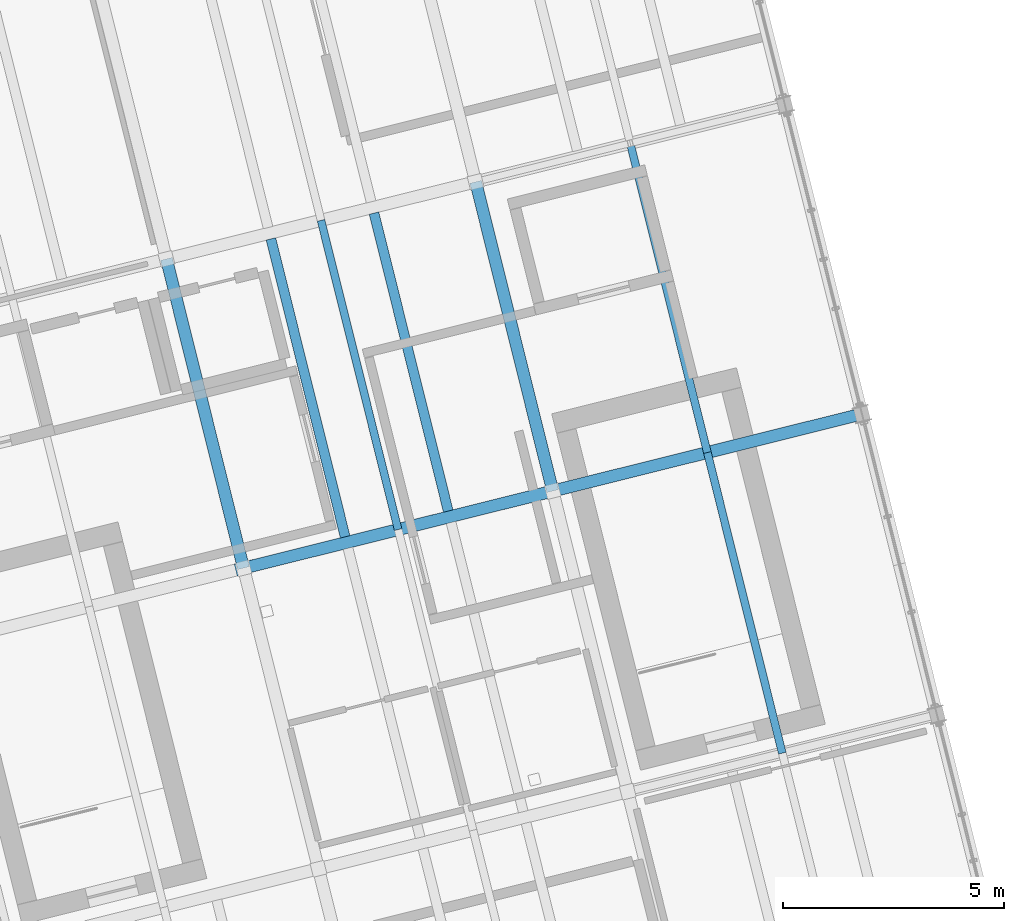
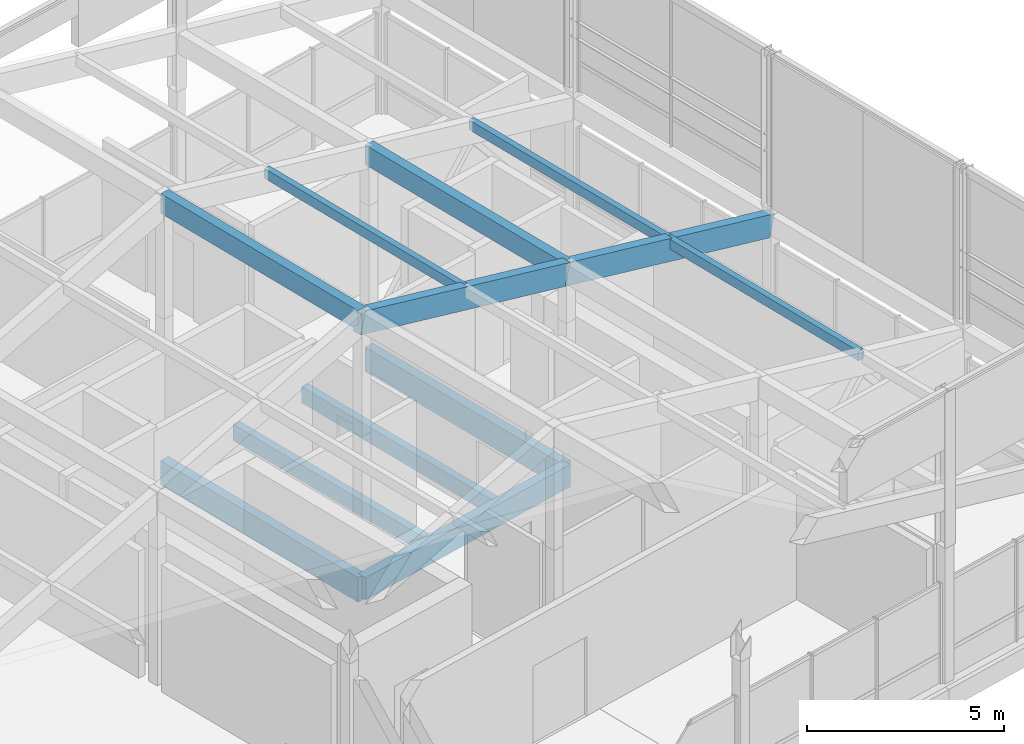
# One storey, part 18 of 31: 9 beams, 3 members.
"""IFC4 building model written with IfcOpenShell, lengths in metres."""

from ifc_helpers import new_model, si_unit, direction, frame, origin, origin_2d, place, context, subcontext, project, spatial, rectangle, extrude, material, material_profile, profile_set, type_object, element, save


model = new_model("IFC4")

# Units and contexts
model_context = context("Model", 3, precision=1e-05, world=origin(), true_north=direction((0.0, 1.0)))
body_context = subcontext(model_context, "Body", "Model", "MODEL_VIEW")
ifc_project = project(units=[si_unit("LENGTHUNIT", "METRE"), si_unit("AREAUNIT", "SQUARE_METRE"), si_unit("VOLUMEUNIT", "CUBIC_METRE"), si_unit("PLANEANGLEUNIT", "RADIAN"), si_unit("MASSUNIT", "GRAM", prefix="KILO")], contexts=[model_context])

# Site, building, storey
site_placement = place(None, origin())
site = spatial("IfcSite", under=ifc_project, at=site_placement, CompositionType="ELEMENT")
building_placement = place(site_placement, origin())
building = spatial("IfcBuilding", under=site, at=building_placement, Name="Meriwether Solvik Hall", CompositionType="ELEMENT")
storey_placement = place(building_placement, frame((0.0, 0.0, 61.199951171875)))
storey = spatial("IfcBuildingStorey", under=building, at=storey_placement, Name="L15", CompositionType="ELEMENT", Elevation=61.199951171875)

# Beams
ifc_material_1 = material(Name="Glulam Douglas-Fir 24F-V8 GL28h", Category="wood")
ifc_material_profile_1 = material_profile(ifc_material_1, rectangle(XDim=0.27294921875, YDim=0.610107421875, at=origin_2d()), Name="GLB-273X610")
ifc_profile_set_1 = profile_set([ifc_material_profile_1], Name="Glulam Douglas-Fir 24F-V8 GL28h")
beam_type_1 = type_object("IfcBeamType", Name="BM-GL-273X610", PredefinedType="SPANDREL", material=ifc_profile_set_1)
beam_1_placement = place(storey_placement, frame((79.621826171875, 58.17041015625, 7.698974609375), z_axis=(-0.241897310542, 0.970301855688, 0.0), x_axis=(-0.970301855688, -0.241897310542, 0.0)))
element("IfcBeam", 1, at=beam_1_placement, inside=storey, type_object=beam_type_1, Name="Roof Tie Beam T3:TC-TD", PredefinedType="SPANDREL", context=body_context, shape_type="SweptSolid", body=[
    extrude(rectangle(XDim=0.27294921875, YDim=0.610107421875, at=origin_2d()), origin(), (0.0, 0.0, 1.0), 7.2001953125),
])
beam_2_placement = place(storey_placement, frame((86.60791015625, 59.912353515625, 5.698974609375), z_axis=(-0.241905269381, 0.970299871507, 0.0), x_axis=(-0.970299871507, -0.241905269381, 0.0)))
element("IfcBeam", 2, at=beam_2_placement, inside=storey, type_object=beam_type_1, Name="Roof Tie Beam T4:TC-TD", PredefinedType="SPANDREL", context=body_context, shape_type="SweptSolid", body=[
    extrude(rectangle(XDim=0.27294921875, YDim=0.610107421875, at=origin_2d()), origin(), (0.0, 0.0, 1.0), 7.199951171875),
])
ifc_material_2 = material(Name="Glulam Douglas-Fir 24F-V8 GL28h", Category="wood")
ifc_material_profile_2 = material_profile(ifc_material_2, rectangle(XDim=0.27294921875, YDim=0.68505859375, at=origin_2d()), Name="GLB-273X685")
ifc_profile_set_2 = profile_set([ifc_material_profile_2], Name="Glulam Douglas-Fir 24F-V8 GL28h")
beam_type_2 = type_object("IfcBeamType", Name="BM-GL-273X685", PredefinedType="BEAM", material=ifc_profile_set_2)
beam_3_placement = place(storey_placement, frame((79.621826171875, 58.17041015625, -0.58740234375), z_axis=(0.970291911955, 0.241937193493, 0.0), x_axis=(-0.241937193493, 0.970291911955, 0.0)))
element("IfcBeam", 3, at=beam_3_placement, inside=storey, type_object=beam_type_2, Name="Tower Girder TC:T3-T4 (L15)", PredefinedType="BEAM", context=body_context, shape_type="SweptSolid", body=[
    extrude(rectangle(XDim=0.27294921875, YDim=0.68505859375, at=origin_2d()), origin(), (0.0, 0.0, 1.0), 7.199951171875),
])
for number, where, z_axis, x_axis, name in (
    (4, (79.532958984375, 58.1484375, 7.674072265625), (0.934900584073, 0.23307988002, -0.2676465345), (-0.241905269381, 0.970299871507, 0.0), "Sloped Roof Rafter TC:T3-T4"),
    (5, (86.51904296875, 59.89013671875, 5.674072265625), (0.93489346428, 0.233110776433, -0.267644496222), (-0.241937193493, 0.970291911955, 0.0), "Sloped Roof Rafter TC:T4-T5"),
):
    element("IfcBeam", number, at=place(storey_placement, frame(where, z_axis=z_axis, x_axis=x_axis)), inside=storey, type_object=beam_type_2, Name=name, PredefinedType="BEAM", context=body_context, shape_type="SweptSolid", body=[
        extrude(rectangle(XDim=0.27294921875, YDim=0.68505859375, at=origin_2d()), origin(), (0.0, 0.0, 1.0), 7.47265625),
    ])
ifc_material_3 = material(Name="Glulam Douglas-Fir 24F-V8 GL28h", Category="wood")
ifc_material_profile_3 = material_profile(ifc_material_3, rectangle(XDim=0.27294921875, YDim=0.760009765625, at=origin_2d()), Name="GLB-273X760")
ifc_profile_set_3 = profile_set([ifc_material_profile_3], Name="Glulam Douglas-Fir 24F-V8 GL28h")
beam_type_3 = type_object("IfcBeamType", Name="BM-GL-273X760", PredefinedType="BEAM", material=ifc_profile_set_3)
beam_4_placement = place(storey_placement, frame((79.621826171875, 58.17041015625, -0.625), z_axis=(-0.241897310542, 0.970301855688, 0.0), x_axis=(-0.970301855688, -0.241897310542, 0.0)))
element("IfcBeam", 6, at=beam_4_placement, inside=storey, type_object=beam_type_3, Name="Tower Girder T3:TC-TD (L15)", PredefinedType="BEAM", context=body_context, shape_type="SweptSolid", body=[
    extrude(rectangle(XDim=0.27294921875, YDim=0.760009765625, at=origin_2d()), origin(), (0.0, 0.0, 1.0), 7.2001953125),
])
beam_5_placement = place(storey_placement, frame((86.60791015625, 59.912353515625, -0.625), z_axis=(-0.241905269381, 0.970299871507, 0.0), x_axis=(-0.970299871507, -0.241905269381, 0.0)))
element("IfcBeam", 7, at=beam_5_placement, inside=storey, type_object=beam_type_3, Name="Tower Girder T4:TC-TD (L15)", PredefinedType="BEAM", context=body_context, shape_type="SweptSolid", body=[
    extrude(rectangle(XDim=0.27294921875, YDim=0.760009765625, at=origin_2d()), origin(), (0.0, 0.0, 1.0), 7.199951171875),
])
ifc_material_4 = material(Name="Glulam Douglas-Fir 24F-V8 GL28h", Category="wood")
ifc_material_profile_4 = material_profile(ifc_material_4, rectangle(XDim=0.221923828125, YDim=0.4951171875, at=origin_2d()), Name="GLJ-222X495")
ifc_profile_set_4 = profile_set([ifc_material_profile_4], Name="Glulam Douglas-Fir 24F-V8 GL28h")
beam_type_4 = type_object("IfcBeamType", Name="JST-GL-222X495", PredefinedType="JOIST", material=ifc_profile_set_4)
for number, where, z_axis, x_axis, name in (
    (8, (81.918701171875, 58.878662109375, -0.492431640625), (-0.241922788949, 0.970295503539, 0.0), (-0.970295503539, -0.241922788949, 0.0), "Glulam Floor Joist T3/TC-J1 (L15)"),
    (9, (84.24755859375, 59.459228515625, -0.492431640625), (-0.241922788949, 0.970295503539, 0.0), (-0.970295503539, -0.241922788949, 0.0), "Glulam Floor Joist T3/TC-J2 (L15)"),
):
    element("IfcBeam", number, at=place(storey_placement, frame(where, z_axis=z_axis, x_axis=x_axis)), inside=storey, type_object=beam_type_4, Name=name, PredefinedType="JOIST", context=body_context, shape_type="SweptSolid", body=[
        extrude(rectangle(XDim=0.221923828125, YDim=0.4951171875, at=origin_2d()), origin(), (0.0, 0.0, 1.0), 6.93701171875),
    ])

# Members
ifc_material_5 = material(Name="Glulam Douglas-Fir 24F-V8 GL28h", Category="wood")
ifc_material_profile_5 = material_profile(ifc_material_5, rectangle(XDim=0.175048828125, YDim=0.304931640625, at=origin_2d()), Name="GLM-175X305")
ifc_profile_set_5 = profile_set([ifc_material_profile_5], Name="Glulam Douglas-Fir 24F-V8 GL28h")
member_type = type_object("IfcMemberType", Name="MEM-PRL-GL175", PredefinedType="PURLIN", material=ifc_profile_set_5)
member_1_placement = place(storey_placement, frame((83.114990234375, 59.04150390625, 6.8515625), z_axis=(-0.241937193493, 0.970291911955, 0.0), x_axis=(-0.970291911955, -0.241937193493, 0.0)))
element("IfcMember", 10, at=member_1_placement, inside=storey, type_object=member_type, Name="Tower Roof Glulam Purlin 3.3", PredefinedType="PURLIN", context=body_context, shape_type="SweptSolid", body=[
    extrude(rectangle(XDim=0.175048828125, YDim=0.304931640625, at=origin_2d()), origin(), (0.0, 0.0, 1.0), 7.199951171875),
])
member_2_placement = place(storey_placement, frame((91.79443359375, 53.9912109375, 4.8515625), z_axis=(-0.241911879182, 0.970298223594, 0.0), x_axis=(-0.970298223594, -0.241911879182, 0.0)))
element("IfcMember", 11, at=member_2_placement, inside=storey, type_object=member_type, Name="Tower Roof Glulam Purlin 4.2", PredefinedType="PURLIN", context=body_context, shape_type="SweptSolid", body=[
    extrude(rectangle(XDim=0.175048828125, YDim=0.304931640625, at=origin_2d()), origin(), (0.0, 0.0, 1.0), 7.0),
])
member_3_placement = place(storey_placement, frame((90.10107421875, 60.783203125, 4.8515625), z_axis=(-0.241929233735, 0.970293896644, 0.0), x_axis=(-0.970293896644, -0.241929233735, 0.0)))
element("IfcMember", 12, at=member_3_placement, inside=storey, type_object=member_type, Name="Tower Roof Glulam Purlin 4.3", PredefinedType="PURLIN", context=body_context, shape_type="SweptSolid", body=[
    extrude(rectangle(XDim=0.175048828125, YDim=0.304931640625, at=origin_2d()), origin(), (0.0, 0.0, 1.0), 7.2001953125),
])

save(model, "model.ifc")
